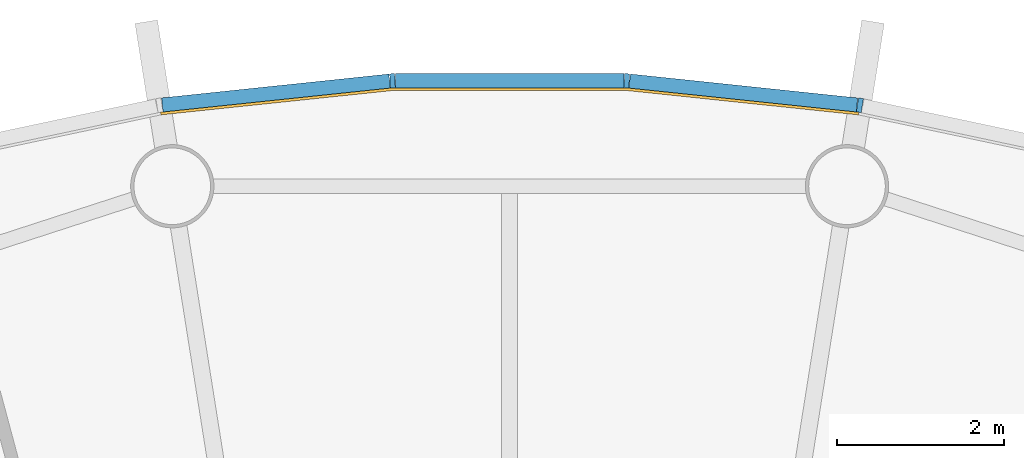
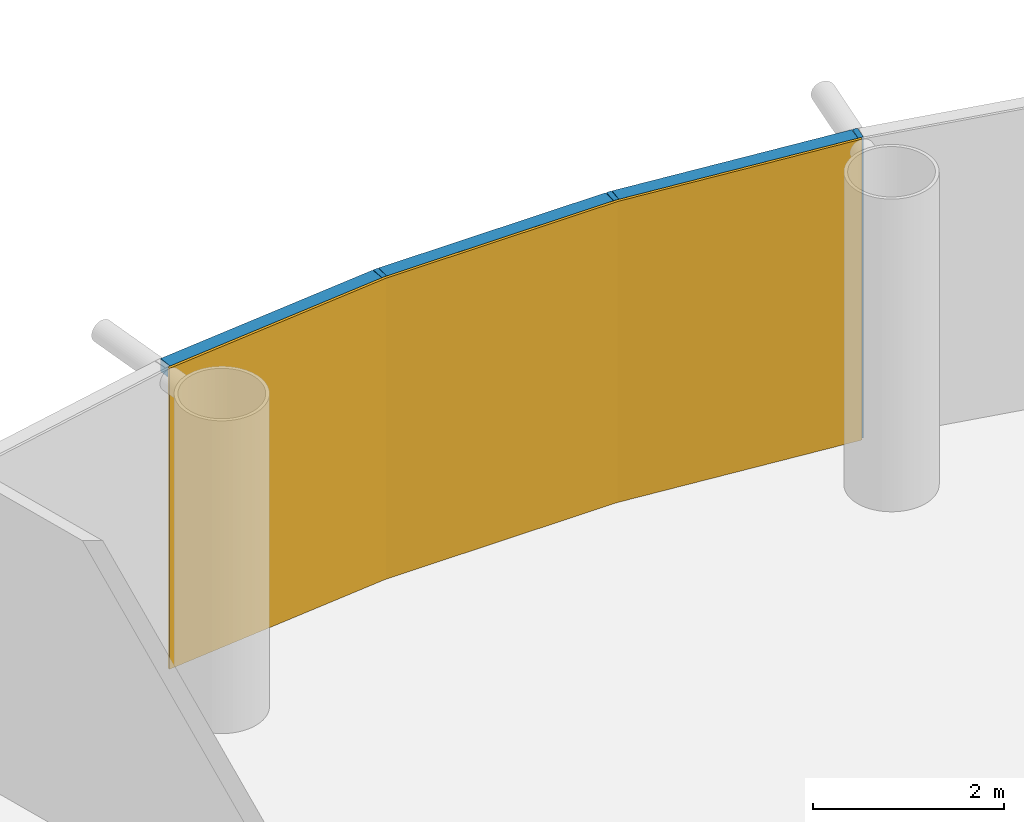
# One storey, part 11 of 13: 6 members, 1 curtain wall.
"""IFC4 building model written with IfcOpenShell, lengths in metres."""

from ifc_helpers import new_model, si_unit, direction, frame, origin, origin_2d, place, context, subcontext, project, spatial, polyline, rectangle, outline, extrude, material, layer, layer_set, material_profile, profile_set, type_object, element, aggregate, save


model = new_model("IFC4")

# Units and contexts
model_context = context("Model", 3, precision=1e-05, world=origin(), true_north=direction((0.0, 1.0)))
body_context = subcontext(model_context, "Body", "Model", "MODEL_VIEW")
ifc_project = project(units=[si_unit("LENGTHUNIT", "METRE"), si_unit("AREAUNIT", "SQUARE_METRE"), si_unit("VOLUMEUNIT", "CUBIC_METRE"), si_unit("PLANEANGLEUNIT", "RADIAN"), si_unit("MASSUNIT", "GRAM", prefix="KILO")], contexts=[model_context])

# Member
ifc_material_1 = material(Name="Anodised aluminium", Category="aluminium")
ifc_material_profile_1 = material_profile(ifc_material_1, rectangle(XDim=0.06005859375, YDim=0.169921875, at=origin_2d()), Name="Mullion 60 x 170 mm anodised aluminium")
ifc_profile_set_1 = profile_set([ifc_material_profile_1], Name="Anodised aluminium")
member_type_1 = type_object("IfcMemberType", Name="Mullion 60 x 170 mm anodised aluminium", PredefinedType="MULLION", material=ifc_profile_set_1)
site_placement = place(None, origin())
building_placement = place(site_placement, origin())
storey_placement = place(building_placement, frame((0.0, 0.0, 226.0)))
member_1_placement = place(storey_placement, frame((94.205810546875, 106.553955078125, 0.0), z_axis=(0.0, 0.0, 1.0), x_axis=(-0.987688340595, 0.15643446504, 0.0)))
member_1 = element("IfcMember", 1, at=member_1_placement, type_object=member_type_1, Name="MULLION L52-12", PredefinedType="MULLION", context=body_context, shape_type="SweptSolid", body=[
    extrude(rectangle(XDim=0.06005859375, YDim=0.169921875, at=origin_2d()), origin(), (0.0, 0.0, 1.0), 3.85009765625),
])

member_2_placement = place(storey_placement, frame((91.406982421875, 106.84814453125, 0.0), z_axis=(0.0, 0.0, 1.0), x_axis=(-0.998629534755, 0.052335956243, 0.0)))
member_2 = element("IfcMember", 2, at=member_2_placement, type_object=member_type_1, Name="MULLION L52-13", PredefinedType="MULLION", context=body_context, shape_type="SweptSolid", body=[
    extrude(rectangle(XDim=0.06005859375, YDim=0.169921875, at=origin_2d()), origin(), (0.0, 0.0, 1.0), 3.85009765625),
])

member_3_placement = place(storey_placement, frame((88.593017578125, 106.84814453125, 0.0), z_axis=(0.0, 0.0, 1.0), x_axis=(-0.998629534755, -0.052335956243, 0.0)))
member_3 = element("IfcMember", 3, at=member_3_placement, type_object=member_type_1, Name="MULLION L52-14", PredefinedType="MULLION", context=body_context, shape_type="SweptSolid", body=[
    extrude(rectangle(XDim=0.06005859375, YDim=0.169921875, at=origin_2d()), origin(), (0.0, 0.0, 1.0), 3.85009765625),
])

ifc_material_2 = material(Name="Anodised aluminium", Category="aluminium")
ifc_material_profile_2 = material_profile(ifc_material_2, rectangle(XDim=0.169921875, YDim=0.1650390625, at=origin_2d()), Name="Transom 165 x 170 mm anodised aluminium")
ifc_profile_set_2 = profile_set([ifc_material_profile_2], Name="Anodised aluminium")
member_type_2 = type_object("IfcMemberType", Name="Transom 165 x 170 mm anodised aluminium", PredefinedType="USERDEFINED", material=ifc_profile_set_2)
member_4_placement = place(storey_placement, frame((94.17138671875, 106.5576171875, 3.767578125), z_axis=(-0.994515195344, 0.104592190102, 0.0), x_axis=(-0.104592190102, -0.994515195344, 0.0)))
member_4 = element("IfcMember", 4, at=member_4_placement, type_object=member_type_2, Name="TRANSOM L52-12", ObjectType="TRANSOM", PredefinedType="USERDEFINED", context=body_context, shape_type="SweptSolid", body=[
    extrude(rectangle(XDim=0.169921875, YDim=0.1650390625, at=origin_2d()), origin(), (0.0, 0.0, 1.0), 2.7451171875),
])

member_5_placement = place(storey_placement, frame((91.37255859375, 106.848388671875, 3.767578125), z_axis=(-1.0, 0.0, 0.0), x_axis=(0.0, -1.0, 0.0)))
member_5 = element("IfcMember", 5, at=member_5_placement, type_object=member_type_2, Name="TRANSOM L52-13", ObjectType="TRANSOM", PredefinedType="USERDEFINED", context=body_context, shape_type="SweptSolid", body=[
    extrude(rectangle(XDim=0.169921875, YDim=0.1650390625, at=origin_2d()), origin(), (0.0, 0.0, 1.0), 2.7451171875),
])

member_6_placement = place(storey_placement, frame((88.55859375, 106.8447265625, 3.767578125), z_axis=(-0.994515195344, -0.104592190102, 0.0), x_axis=(0.104592190102, -0.994515195344, 0.0)))
member_6 = element("IfcMember", 6, at=member_6_placement, type_object=member_type_2, Name="TRANSOM L52-14", ObjectType="TRANSOM", PredefinedType="USERDEFINED", context=body_context, shape_type="SweptSolid", body=[
    extrude(rectangle(XDim=0.169921875, YDim=0.1650390625, at=origin_2d()), origin(), (0.0, 0.0, 1.0), 2.7451171875),
])

# Site, building, storey
site = spatial("IfcSite", under=ifc_project, at=site_placement, CompositionType="ELEMENT")
building = spatial("IfcBuilding", under=site, at=building_placement, Name="Entoto Ring Tower", CompositionType="ELEMENT")
storey = spatial("IfcBuildingStorey", under=building, at=storey_placement, Name="L52", CompositionType="ELEMENT", Elevation=226.0)

# Curtain wall
ifc_material_3 = material(Name="Clear low-iron glass", Category="glass")
ifc_layer = layer(ifc_material_3, 0.031982421875)
ifc_layer_set = layer_set([ifc_layer], Name="Clear low-iron glass")
curtain_wall_type = type_object("IfcCurtainWallType", Name="Curtain wall system CW4 glazing 32 mm", PredefinedType="NOTDEFINED", material=ifc_layer_set)
curtain_wall_placement = place(storey_placement, origin())
curtain_wall = element("IfcCurtainWall", 7, at=curtain_wall_placement, inside=storey, type_object=curtain_wall_type, Name="CW4 L52-05", PredefinedType="NOTDEFINED", context=body_context, shape_type="SweptSolid", body=[
    extrude(outline(polyline([(94.1923828125, 106.469970703125), (91.402587890625, 106.76318359375), (88.597412109375, 106.76318359375), (85.8076171875, 106.469970703125), (85.8125, 106.4384765625), (88.59912109375, 106.731201171875), (91.40087890625, 106.731201171875), (94.1875, 106.4384765625), (94.1923828125, 106.469970703125)])), origin(), (0.0, 0.0, 1.0), 3.85009765625),
])

aggregate(curtain_wall, [member_1, member_2, member_3, member_4, member_5, member_6])

save(model, "model.ifc")
